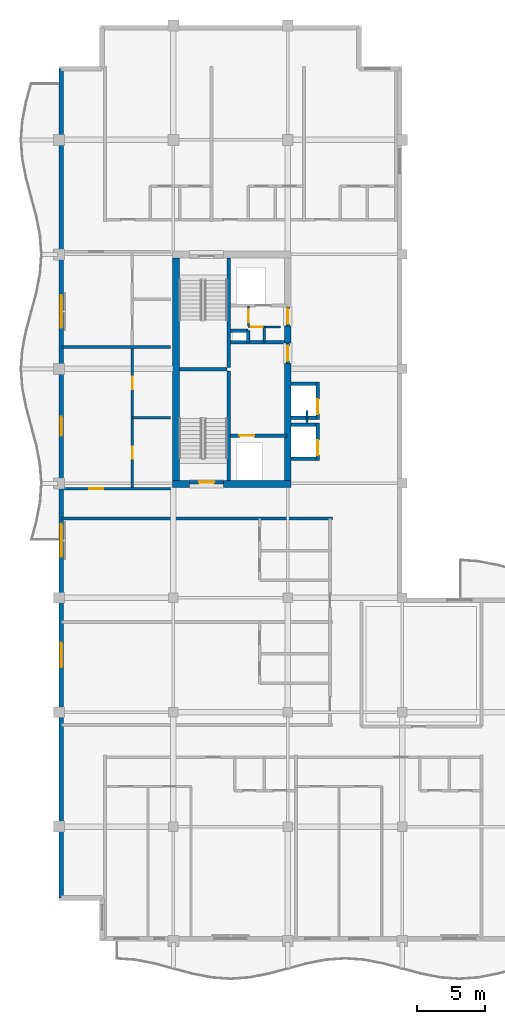
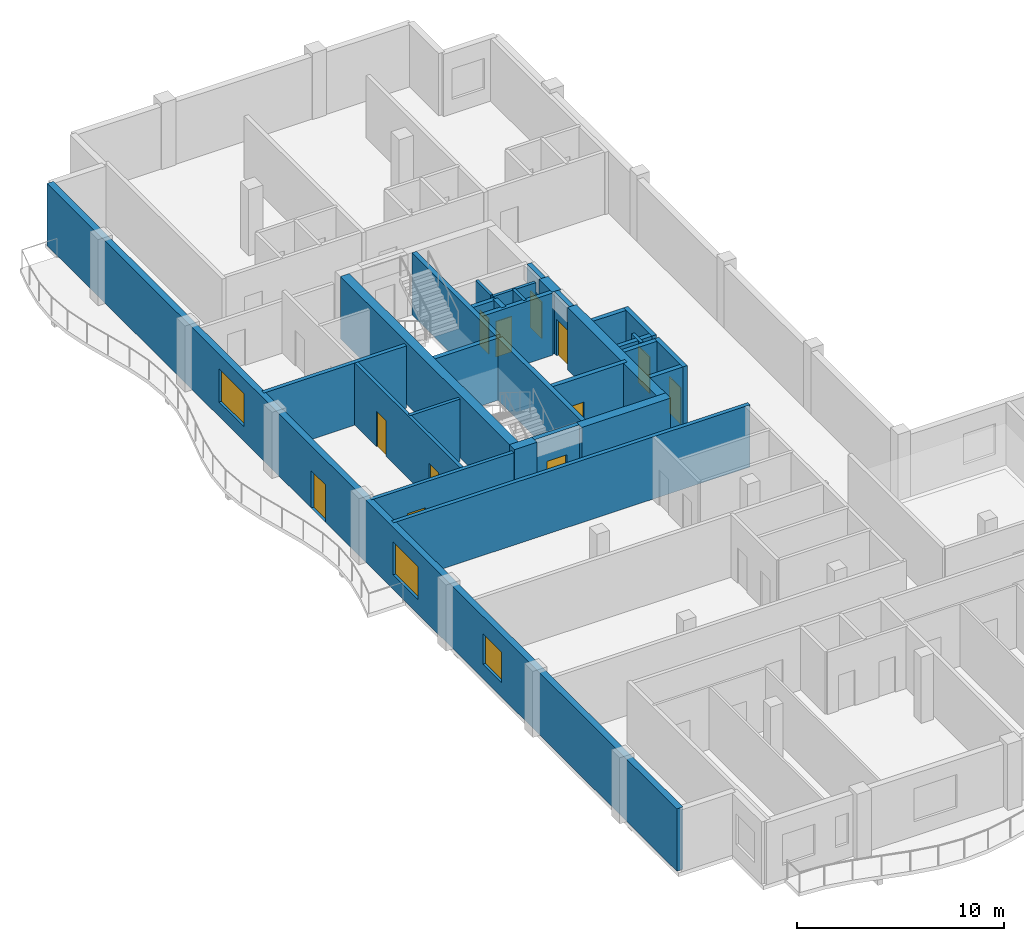
# One storey, part 9 of 15: 31 walls, 12 doors, 3 windows, 15 openings.
"""IFC4 building model written with IfcOpenShell, lengths in metres."""

import ifcopenshell
import ifcopenshell.guid

model = None  # the IFC model being written
_history = None  # IfcOwnerHistory: only IFC2X3 demands one
_inside = {}  # id of a spatial element -> (the spatial element, [elements in it])
_under = {}  # id of a project, library or spatial element -> (it, [spatial elements below it])
_declared = {}  # id of a project -> (the project, [libraries it declares])
_typed = {}  # id of a type object -> (the type object, [elements of that type])
_made_of = {}  # id of a material, layer set ... -> (it, [elements and type objects made of it])


def new_model(schema):
    """Start an empty IFC model of exactly this schema.

    Asked for "IFC4X3", IfcOpenShell would pick the latest addendum, in which some entities
    have other attributes; the version numbers below select the first issue.
    IFC2X3 requires an IfcOwnerHistory on every rooted entity: one is made here for all.
    """
    global model, _history
    if schema == "IFC4X3":
        model = ifcopenshell.file(schema_version=(4, 3, 0, 0))
    else:
        model = ifcopenshell.file(schema=schema)
    _inside.clear()
    _under.clear()
    _declared.clear()
    _typed.clear()
    _made_of.clear()
    _history = None
    if model.schema == "IFC2X3":
        org = make("IfcOrganization", Name="unknown")
        user = make(
            "IfcPersonAndOrganization",
            ThePerson=make("IfcPerson", FamilyName="unknown"),
            TheOrganization=org,
        )
        app = make(
            "IfcApplication",
            ApplicationDeveloper=org,
            Version="unknown",
            ApplicationFullName="unknown",
            ApplicationIdentifier="unknown",
        )
        _history = make(
            "IfcOwnerHistory",
            OwningUser=user,
            OwningApplication=app,
            ChangeAction="ADDED",
            CreationDate=0,
        )
    return model


def make(cls, **values):
    """One entity of the class cls with the attributes given. An attribute that is None is left unset."""
    return model.create_entity(
        cls, **{name: value for name, value in values.items() if value is not None}
    )


def rooted(cls, **values):
    """An entity with a GlobalId (a new one), such as an element, a storey or a relation."""
    return make(cls, GlobalId=ifcopenshell.guid.new(), OwnerHistory=_history, **values)


def si_unit(unit_type, name, prefix=None):
    """IfcSIUnit, for example si_unit("LENGTHUNIT", "METRE", prefix="MILLI")."""
    return make("IfcSIUnit", UnitType=unit_type, Prefix=prefix, Name=name)


def assignment(units):
    """IfcUnitAssignment: the units of a project."""
    return None if units is None else make("IfcUnitAssignment", Units=units)


def point(xyz):
    """IfcCartesianPoint."""
    return None if xyz is None else make("IfcCartesianPoint", Coordinates=xyz)


def direction(xyz):
    """IfcDirection."""
    return None if xyz is None else make("IfcDirection", DirectionRatios=xyz)


def frame(location, z_axis=None, x_axis=None):
    """IfcAxis2Placement3D, a coordinate frame: its origin and axes. An axis left out is left unset."""
    return make(
        "IfcAxis2Placement3D",
        Location=point(location),
        Axis=direction(z_axis),
        RefDirection=direction(x_axis),
    )


def frame_2d(location, x_axis=None):
    """IfcAxis2Placement2D, a coordinate frame in the plane: its origin and x axis."""
    return make(
        "IfcAxis2Placement2D", Location=point(location), RefDirection=direction(x_axis)
    )


def origin():
    """The frame at (0, 0, 0) with its axes left unset."""
    return frame((0.0, 0.0, 0.0))


def place(relative_to, where):
    """IfcLocalPlacement: puts the frame where relative to a parent placement (None: the world)."""
    return make(
        "IfcLocalPlacement", PlacementRelTo=relative_to, RelativePlacement=where
    )


def context(
    kind, dimensions, precision=None, world=None, true_north=None, identifier=None
):
    """IfcGeometricRepresentationContext, for example the 3D "Model" context."""
    return make(
        "IfcGeometricRepresentationContext",
        ContextIdentifier=identifier,
        ContextType=kind,
        CoordinateSpaceDimension=dimensions,
        Precision=precision,
        WorldCoordinateSystem=world,
        TrueNorth=true_north,
    )


def subcontext(parent, identifier, kind, view, scale=None):
    """IfcGeometricRepresentationSubContext, for example "Body" below "Model"."""
    return make(
        "IfcGeometricRepresentationSubContext",
        ContextIdentifier=identifier,
        ContextType=kind,
        ParentContext=parent,
        TargetScale=scale,
        TargetView=view,
    )


def project(units=None, contexts=None):
    """IfcProject with its units and contexts."""
    return rooted(
        "IfcProject",
        Name="project",
        RepresentationContexts=contexts,
        UnitsInContext=assignment(units),
    )


def spatial(cls, under=None, at=None, **own):
    """A site, building, storey or space (cls), placed at a placement, below another one or the project."""
    s = rooted(cls, ObjectPlacement=at, **own)
    if under is not None:
        _under.setdefault(under.id(), (under, []))[1].append(s)
    return s


def profile(cls, at=None, kind="AREA", **sizes):
    """A parametric profile (cls). Its sizes go by their IFC names, for example OverallWidth=200.0."""
    return make(cls, ProfileType=kind, Position=at, **sizes)


def rectangle(**sizes):
    """IfcRectangleProfileDef."""
    return profile("IfcRectangleProfileDef", **sizes)


def extrude(swept, where, along, depth):
    """IfcExtrudedAreaSolid: the profile swept, set in the frame where, extruded along a direction by depth."""
    return make(
        "IfcExtrudedAreaSolid",
        SweptArea=swept,
        Position=where,
        ExtrudedDirection=direction(along),
        Depth=depth,
    )


def shape(context_of_items, identifier, shape_type, items):
    """IfcShapeRepresentation: the items that make up one representation, for example the "Body"."""
    return make(
        "IfcShapeRepresentation",
        ContextOfItems=context_of_items,
        RepresentationIdentifier=identifier,
        RepresentationType=shape_type,
        Items=items,
    )


def material(Name=None, Category=None):
    """IfcMaterial."""
    return make("IfcMaterial", Name=Name, Category=Category)


def layer(
    of_material, thickness, ventilated=None, Name=None, Category=None, Priority=None
):
    """IfcMaterialLayer: one layer of a wall or slab, of a material (None: an air gap)."""
    return make(
        "IfcMaterialLayer",
        Material=of_material,
        LayerThickness=thickness,
        IsVentilated=ventilated,
        Name=Name,
        Category=Category,
        Priority=Priority,
    )


def layer_set(layers, Name=None):
    """IfcMaterialLayerSet."""
    return make("IfcMaterialLayerSet", MaterialLayers=layers, LayerSetName=Name)


def made_of(thing, what):
    """Note that an element or type object is made of a material, layer set ...; save() writes the relation."""
    if what is not None:
        _made_of.setdefault(what.id(), (what, []))[1].append(thing)
    return thing


def type_object(cls, material=None, **own):
    """A type object (cls), such as IfcWallType, which elements share."""
    return made_of(rooted(cls, **own), material)


def element(
    cls,
    number,
    at=None,
    inside=None,
    cuts=None,
    type_object=None,
    material=None,
    context=None,
    identifier="Body",
    shape_type=None,
    held_by="IfcProductDefinitionShape",
    body=None,
    shapes=None,
    **own,
):
    """One element of the class cls, such as IfcWall. Its Tag is "e" and its number.

    at: its placement. inside: the storey or other place that contains it. cuts: it is an
    opening in that element (IfcRelVoidsElement). A single representation is given by context,
    identifier, shape_type and body (its items); several are given by shapes. held_by: the class
    of the entity that holds the representations. save() writes the other relations.
    """
    e = rooted(cls, Tag="e%d" % number, ObjectPlacement=at, **own)
    if body is not None:
        shapes = [shape(context, identifier, shape_type, body)]
    if shapes is not None:
        e.Representation = make(held_by, Representations=shapes)
    if inside is not None:
        _inside.setdefault(inside.id(), (inside, []))[1].append(e)
    if cuts is not None:
        rooted(
            "IfcRelVoidsElement", RelatingBuildingElement=cuts, RelatedOpeningElement=e
        )
    if type_object is not None:
        _typed.setdefault(type_object.id(), (type_object, []))[1].append(e)
    return made_of(e, material)


def fill(opening, filler):
    """IfcRelFillsElement: the door or window that sits in an opening."""
    return rooted(
        "IfcRelFillsElement",
        RelatingOpeningElement=opening,
        RelatedBuildingElement=filler,
    )


def aggregate(whole, parts):
    """IfcRelAggregates: a whole, such as a stair, and the parts it consists of."""
    return rooted("IfcRelAggregates", RelatingObject=whole, RelatedObjects=parts)


def save(model, path):
    """Write the relations noted so far, then the file.

    IfcRelAggregates (storeys below a building ...), IfcRelContainedInSpatialStructure (elements
    in a storey), IfcRelDefinesByType, IfcRelAssociatesMaterial and IfcRelDeclares: one each for
    every whole, place, type object, material and project.
    """
    for whole, parts in _under.values():
        aggregate(whole, parts)
    for where, things in _inside.values():
        rooted(
            "IfcRelContainedInSpatialStructure",
            RelatedElements=things,
            RelatingStructure=where,
        )
    for kind, things in _typed.values():
        rooted("IfcRelDefinesByType", RelatedObjects=things, RelatingType=kind)
    for what, things in _made_of.values():
        rooted("IfcRelAssociatesMaterial", RelatedObjects=things, RelatingMaterial=what)
    for by, libraries in _declared.values():
        rooted("IfcRelDeclares", RelatingContext=by, RelatedDefinitions=libraries)
    model.write(path)


model = new_model("IFC4")

# Units and contexts
model_context = context("Model", 3, precision=1e-05, world=origin(), true_north=direction((0.0, 1.0)))
body_context = subcontext(model_context, "Body", "Model", "MODEL_VIEW")
ifc_project = project(units=[si_unit("LENGTHUNIT", "METRE"), si_unit("AREAUNIT", "SQUARE_METRE"), si_unit("VOLUMEUNIT", "CUBIC_METRE"), si_unit("PLANEANGLEUNIT", "RADIAN"), si_unit("MASSUNIT", "GRAM", prefix="KILO")], contexts=[model_context])

# Site, building, storey
site_placement = place(None, origin())
site = spatial("IfcSite", under=ifc_project, at=site_placement, CompositionType="ELEMENT")
building_placement = place(site_placement, origin())
building = spatial("IfcBuilding", under=site, at=building_placement, Name="Koriwani Terraces Tower", CompositionType="ELEMENT")
storey_placement = place(building_placement, frame((0.0, 0.0, 324.199951171875)))
storey = spatial("IfcBuildingStorey", under=building, at=storey_placement, Name="L80", CompositionType="ELEMENT", Elevation=324.199951171875)

# Walls
ifc_material_1 = material(Name="Concrete C50/60", Category="concrete")
ifc_layer_1 = layer(ifc_material_1, 0.5, Name="Concrete C50/60")
ifc_layer_set_1 = layer_set([ifc_layer_1], Name="Concrete C50/60")
wall_type_1 = type_object("IfcWallType", Name="WALL_CORE_RC_500", PredefinedType="SHEAR", material=ifc_layer_set_1)
wall_1_placement = place(storey_placement, frame((16.75, 41.949951171875, 0.0), z_axis=(0.0, 0.0, 1.0), x_axis=(1.0, 0.0, 0.0)))
element("IfcWall", 1, at=wall_1_placement, inside=storey, type_object=wall_type_1, Name="L80 West Split Core Shear Wall S1", PredefinedType="SHEAR", context=body_context, shape_type="SweptSolid", body=[
    extrude(rectangle(XDim=1.25, YDim=0.5, at=frame_2d((0.625, 0.0))), origin(), (0.0, 0.0, 1.0), 3.670166015625),
])
wall_2_placement = place(storey_placement, frame((20.5, 41.949951171875, 0.0), z_axis=(0.0, 0.0, 1.0), x_axis=(1.0, 0.0, 0.0)))
element("IfcWall", 2, at=wall_2_placement, inside=storey, type_object=wall_type_1, Name="L80 West Split Core Shear Wall S2", PredefinedType="SHEAR", context=body_context, shape_type="SweptSolid", body=[
    extrude(rectangle(XDim=4.949951171875, YDim=0.5, at=frame_2d((2.47509765625, 0.0))), origin(), (0.0, 0.0, 1.0), 3.670166015625),
])
wall_3_placement = place(storey_placement, frame((17.0, 42.199951171875, 0.0), z_axis=(0.0, 0.0, 1.0), x_axis=(0.0, 1.0, 0.0)))
element("IfcWall", 3, at=wall_3_placement, inside=storey, type_object=wall_type_1, Name="L80 West Split Core Shear Wall W1", PredefinedType="SHEAR", context=body_context, shape_type="SweptSolid", body=[
    extrude(rectangle(XDim=16.35009765625, YDim=0.5, at=frame_2d((8.175048828125, 0.0))), origin(), (0.0, 0.0, 1.0), 3.670166015625),
])
wall_4_placement = place(storey_placement, frame((25.199951171875, 42.199951171875, 0.0), z_axis=(0.0, 0.0, 1.0), x_axis=(0.0, 1.0, 0.0)))
element("IfcWall", 4, at=wall_4_placement, inside=storey, type_object=wall_type_1, Name="L80 West Split Core Shear Wall E1", PredefinedType="SHEAR", context=body_context, shape_type="SweptSolid", body=[
    extrude(rectangle(XDim=8.60009765625, YDim=0.5, at=frame_2d((4.300048828125, 0.0))), origin(), (0.0, 0.0, 1.0), 3.670166015625),
])
wall_5_placement = place(storey_placement, frame((25.199951171875, 52.280029296875, 0.0), z_axis=(0.0, 0.0, 1.0), x_axis=(0.0, 1.0, 0.0)))
element("IfcWall", 5, at=wall_5_placement, inside=storey, type_object=wall_type_1, Name="L80 West Split Core Shear Wall E2", PredefinedType="SHEAR", context=body_context, shape_type="SweptSolid", body=[
    extrude(rectangle(XDim=1.27001953125, YDim=0.5, at=frame_2d((0.635009765625, 0.0))), origin(), (0.0, 0.0, 1.0), 3.670166015625),
])

# Wall, opening, door
ifc_material_2 = material(Name="Autoclaved Cellular Concrete Blockwork", Category="masonry")
ifc_layer_2 = layer(ifc_material_2, 0.199951171875, Name="Autoclaved Cellular Concrete Blockwork")
ifc_layer_set_2 = layer_set([ifc_layer_2], Name="Autoclaved Cellular Concrete Blockwork")
wall_type_2 = type_object("IfcWallType", Name="WALL_CORRIDOR_200", PredefinedType="PARTITIONING", material=ifc_layer_set_2)
wall_6_placement = place(storey_placement, frame((8.64990234375, 41.60009765625, 0.0), z_axis=(0.0, 0.0, 1.0), x_axis=(1.0, 0.0, 0.0)))
wall_6 = element("IfcWall", 6, at=wall_6_placement, inside=storey, type_object=wall_type_2, Name="L80 Interior Wall WRZ4-WS-L80", PredefinedType="PARTITIONING", context=body_context, shape_type="SweptSolid", body=[
    extrude(rectangle(XDim=7.9501953125, YDim=0.199951171875, at=frame_2d((3.97509765625, 0.0))), origin(), (0.0, 0.0, 1.0), 3.670166015625),
])
opening_1_placement = place(wall_6_placement, frame((2.0, 0.0, 0.0)))
opening_1 = element("IfcOpeningElement", 7, at=opening_1_placement, cuts=wall_6, Name="Opening D-05", PredefinedType="OPENING", context=body_context, shape_type="SweptSolid", body=[
    extrude(rectangle(XDim=1.0, YDim=2.14990234375, at=frame_2d((0.5, 1.074951171875))), frame((0.0, 0.10986328125, 0.0), z_axis=(0.0, -1.0, 0.0), x_axis=(1.0, 0.0, 0.0)), (0.0, 0.0, 1.0), 0.219970703125),
])
ifc_material_3 = material(Name="Architectural Oak Fire Door", Category="wood")
door_type_1 = type_object("IfcDoorType", Name="DOOR_SUITE_ENTRY_1000X2150", OperationType="NOTDEFINED", PredefinedType="DOOR", material=ifc_material_3)
door_1_placement = place(opening_1_placement, origin())
door_1 = element("IfcDoor", 8, at=door_1_placement, inside=storey, type_object=door_type_1, Name="Apartment 80RW1 Entrance Door", OperationType="SINGLE_SWING_LEFT", OverallHeight=2.14990234375, OverallWidth=1.0, PredefinedType="DOOR", context=body_context, shape_type="SweptSolid", body=[
    extrude(rectangle(XDim=1.0, YDim=2.14990234375, at=frame_2d((0.5, 1.074951171875))), frame((0.0, 0.02490234375, 0.0), z_axis=(0.0, -1.0, 0.0), x_axis=(1.0, 0.0, 0.0)), (0.0, 0.0, 1.0), 0.050048828125),
])
fill(opening_1, door_1)

# Walls
ifc_layer_3 = layer(ifc_material_2, 0.219970703125, Name="Autoclaved Cellular Concrete Blockwork")
ifc_layer_set_3 = layer_set([ifc_layer_3], Name="Autoclaved Cellular Concrete Blockwork")
wall_type_3 = type_object("IfcWallType", Name="WALL_DEMISING_220", PredefinedType="PARTITIONING", material=ifc_layer_set_3)
wall_7_placement = place(storey_placement, frame((8.64990234375, 52.0, 0.0), z_axis=(0.0, 0.0, 1.0), x_axis=(1.0, 0.0, 0.0)))
element("IfcWall", 9, at=wall_7_placement, inside=storey, type_object=wall_type_3, Name="L80 Interior Wall WRZ4-WM-L80", PredefinedType="PARTITIONING", context=body_context, shape_type="SweptSolid", body=[
    extrude(rectangle(XDim=7.9501953125, YDim=0.219970703125, at=frame_2d((3.97509765625, 0.0))), origin(), (0.0, 0.0, 1.0), 3.670166015625),
])
wall_8_placement = place(storey_placement, frame((8.60009765625, 39.39990234375, 0.0), z_axis=(0.0, 0.0, 1.0), x_axis=(1.0, 0.0, 0.0)))
element("IfcWall", 10, at=wall_8_placement, inside=storey, type_object=wall_type_3, Name="L80 Interior Wall WRDEME-L80-NE", PredefinedType="PARTITIONING", context=body_context, shape_type="SweptSolid", body=[
    extrude(rectangle(XDim=19.8798828125, YDim=0.219970703125, at=frame_2d((9.93994140625, 0.0))), origin(), (0.0, 0.0, 1.0), 3.670166015625),
])

# Wall, openings, door, windows
ifc_layer_4 = layer(ifc_material_1, 0.35009765625, Name="Concrete C50/60")
ifc_layer_set_4 = layer_set([ifc_layer_4], Name="Concrete C50/60")
wall_type_4 = type_object("IfcWallType", Name="WALL_EXT_BRUTALIST_350", PredefinedType="STANDARD", material=ifc_layer_set_4)
wall_9_placement = place(storey_placement, frame((8.574951171875, 11.574951171875, 0.0), z_axis=(0.0, 0.0, 1.0), x_axis=(0.0, 1.0, 0.0)))
wall_9 = element("IfcWall", 11, at=wall_9_placement, inside=storey, type_object=wall_type_4, Name="L80 Fair-Faced Brutalist Exterior Wall (W)", PredefinedType="STANDARD", context=body_context, shape_type="SweptSolid", body=[
    extrude(rectangle(XDim=60.85009765625, YDim=0.35009765625, at=frame_2d((30.425048828125, 0.0))), origin(), (0.0, 0.0, 1.0), 3.670166015625),
])
opening_2_placement = place(wall_9_placement, frame((33.925048828125, 0.0, 0.0)))
opening_2 = element("IfcOpeningElement", 12, at=opening_2_placement, cuts=wall_9, Name="Opening D-09", PredefinedType="OPENING", context=body_context, shape_type="SweptSolid", body=[
    extrude(rectangle(XDim=1.39990234375, YDim=2.199951171875, at=frame_2d((0.699951171875, 1.10009765625))), frame((0.0, 0.18505859375, 0.0), z_axis=(0.0, -1.0, 0.0), x_axis=(1.0, 0.0, 0.0)), (0.0, 0.0, 1.0), 0.3701171875),
])
opening_3_placement = place(wall_9_placement, frame((16.925048828125, 0.0, 0.85009765625)))
opening_3 = element("IfcOpeningElement", 13, at=opening_3_placement, cuts=wall_9, Name="Opening W-04", PredefinedType="OPENING", context=body_context, shape_type="SweptSolid", body=[
    extrude(rectangle(XDim=1.800048828125, YDim=1.800048828125, at=frame_2d((0.89990234375, 0.89990234375))), frame((0.0, 0.18505859375, 0.0), z_axis=(0.0, -1.0, 0.0), x_axis=(1.0, 0.0, 0.0)), (0.0, 0.0, 1.0), 0.3701171875),
])
opening_4_placement = place(wall_9_placement, frame((25.02490234375, 0.0, 0.85009765625)))
opening_4 = element("IfcOpeningElement", 14, at=opening_4_placement, cuts=wall_9, Name="Opening W-03", PredefinedType="OPENING", context=body_context, shape_type="SweptSolid", body=[
    extrude(rectangle(XDim=2.39990234375, YDim=1.949951171875, at=frame_2d((1.199951171875, 0.97509765625))), frame((0.0, 0.18505859375, 0.0), z_axis=(0.0, -1.0, 0.0), x_axis=(1.0, 0.0, 0.0)), (0.0, 0.0, 1.0), 0.3701171875),
])
opening_5_placement = place(wall_9_placement, frame((41.824951171875, 0.0, 0.85009765625)))
opening_5 = element("IfcOpeningElement", 15, at=opening_5_placement, cuts=wall_9, Name="Opening W-03", PredefinedType="OPENING", context=body_context, shape_type="SweptSolid", body=[
    extrude(rectangle(XDim=2.39990234375, YDim=1.949951171875, at=frame_2d((1.199951171875, 0.97509765625))), frame((0.0, 0.18505859375, 0.0), z_axis=(0.0, -1.0, 0.0), x_axis=(1.0, 0.0, 0.0)), (0.0, 0.0, 1.0), 0.3701171875),
])
ifc_material_4 = material(Name="Anodised Bronze Aluminium", Category="aluminium")
door_type_2 = type_object("IfcDoorType", Name="DOOR_BALCONY_GLAZED_1400X2200", OperationType="NOTDEFINED", PredefinedType="DOOR", material=ifc_material_4)
door_2_placement = place(opening_2_placement, origin())
door_2 = element("IfcDoor", 16, at=door_2_placement, inside=storey, type_object=door_type_2, Name="L80 West Balcony Glazed Door", OperationType="SINGLE_SWING_LEFT", OverallHeight=2.199951171875, OverallWidth=1.39990234375, PredefinedType="DOOR", context=body_context, shape_type="SweptSolid", body=[
    extrude(rectangle(XDim=1.39990234375, YDim=2.199951171875, at=frame_2d((0.699951171875, 1.10009765625))), frame((0.0, 0.02490234375, 0.0), z_axis=(0.0, -1.0, 0.0), x_axis=(1.0, 0.0, 0.0)), (0.0, 0.0, 1.0), 0.050048828125),
])
fill(opening_2, door_2)
ifc_material_5 = material(Name="Tempered Laminated Low-E Glass", Category="glass")
window_type_1 = type_object("IfcWindowType", Name="WIN_RES_BED_1800X1800", PartitioningType="DOUBLE_PANEL_VERTICAL", PredefinedType="WINDOW", material=ifc_material_5)
window_1_placement = place(opening_3_placement, origin())
window_1 = element("IfcWindow", 17, at=window_1_placement, inside=storey, type_object=window_type_1, Name="L80 Exterior Window (W-6)", OverallHeight=1.800048828125, OverallWidth=1.800048828125, PartitioningType="SINGLE_PANEL", PredefinedType="WINDOW", context=body_context, shape_type="SweptSolid", body=[
    extrude(rectangle(XDim=1.800048828125, YDim=1.800048828125, at=frame_2d((0.89990234375, 0.89990234375))), frame((0.0, 0.030029296875, 0.0), z_axis=(0.0, -1.0, 0.0), x_axis=(1.0, 0.0, 0.0)), (0.0, 0.0, 1.0), 0.06005859375),
])
fill(opening_3, window_1)
window_type_2 = type_object("IfcWindowType", Name="WIN_RES_LIVING_2400X1950", PartitioningType="DOUBLE_PANEL_VERTICAL", PredefinedType="WINDOW", material=ifc_material_5)
window_2_placement = place(opening_4_placement, origin())
window_2 = element("IfcWindow", 18, at=window_2_placement, inside=storey, type_object=window_type_2, Name="L80 Exterior Window (W-9)", OverallHeight=1.949951171875, OverallWidth=2.39990234375, PartitioningType="SINGLE_PANEL", PredefinedType="WINDOW", context=body_context, shape_type="SweptSolid", body=[
    extrude(rectangle(XDim=2.39990234375, YDim=1.949951171875, at=frame_2d((1.199951171875, 0.97509765625))), frame((0.0, 0.030029296875, 0.0), z_axis=(0.0, -1.0, 0.0), x_axis=(1.0, 0.0, 0.0)), (0.0, 0.0, 1.0), 0.06005859375),
])
fill(opening_4, window_2)
window_3_placement = place(opening_5_placement, origin())
window_3 = element("IfcWindow", 19, at=window_3_placement, inside=storey, type_object=window_type_2, Name="L80 Exterior Window (W-15)", OverallHeight=1.949951171875, OverallWidth=2.39990234375, PartitioningType="SINGLE_PANEL", PredefinedType="WINDOW", context=body_context, shape_type="SweptSolid", body=[
    extrude(rectangle(XDim=2.39990234375, YDim=1.949951171875, at=frame_2d((1.199951171875, 0.97509765625))), frame((0.0, 0.030029296875, 0.0), z_axis=(0.0, -1.0, 0.0), x_axis=(1.0, 0.0, 0.0)), (0.0, 0.0, 1.0), 0.06005859375),
])
fill(opening_5, window_3)

# Wall, openings, doors
ifc_material_6 = material(Name="Fire-Rated Acoustic Gypsum Partition", Category="masonry")
ifc_layer_5 = layer(ifc_material_6, 0.179931640625, Name="Fire-Rated Acoustic Gypsum Partition")
ifc_layer_set_5 = layer_set([ifc_layer_5], Name="Fire-Rated Acoustic Gypsum Partition")
wall_type_5 = type_object("IfcWallType", Name="WALL_PLUMBING_180", PredefinedType="PLUMBINGWALL", material=ifc_layer_set_5)
wall_10_placement = place(storey_placement, frame((13.800048828125, 41.699951171875, 0.0), z_axis=(0.0, 0.0, 1.0), x_axis=(0.0, 1.0, 0.0)))
wall_10 = element("IfcWall", 20, at=wall_10_placement, inside=storey, type_object=wall_type_5, Name="L80 Interior Wall WRZ4-RW1-PB-L80", PredefinedType="PLUMBINGWALL", context=body_context, shape_type="SweptSolid", body=[
    extrude(rectangle(XDim=10.199951171875, YDim=0.179931640625, at=frame_2d((5.10009765625, 0.0))), origin(), (0.0, 0.0, 1.0), 3.670166015625),
])
opening_6_placement = place(wall_10_placement, frame((2.10009765625, 0.0, 0.0)))
opening_6 = element("IfcOpeningElement", 21, at=opening_6_placement, cuts=wall_10, Name="Opening D-07", PredefinedType="OPENING", context=body_context, shape_type="SweptSolid", body=[
    extrude(rectangle(XDim=0.89990234375, YDim=2.10009765625, at=frame_2d((0.449951171875, 1.050048828125))), frame((0.0, 0.10009765625, 0.0), z_axis=(0.0, -1.0, 0.0), x_axis=(1.0, 0.0, 0.0)), (0.0, 0.0, 1.0), 0.199951171875),
])
opening_7_placement = place(wall_10_placement, frame((7.18994140625, 0.0, 0.0)))
opening_7 = element("IfcOpeningElement", 22, at=opening_7_placement, cuts=wall_10, Name="Opening D-06", PredefinedType="OPENING", context=body_context, shape_type="SweptSolid", body=[
    extrude(rectangle(XDim=0.919921875, YDim=2.10009765625, at=frame_2d((0.4599609375, 1.050048828125))), frame((0.0, 0.10009765625, 0.0), z_axis=(0.0, -1.0, 0.0), x_axis=(1.0, 0.0, 0.0)), (0.0, 0.0, 1.0), 0.199951171875),
])
door_type_3 = type_object("IfcDoorType", Name="DOOR_BATH_INT_900X2100", OperationType="NOTDEFINED", PredefinedType="DOOR", material=ifc_material_3)
door_3_placement = place(opening_6_placement, origin())
door_3 = element("IfcDoor", 23, at=door_3_placement, inside=storey, type_object=door_type_3, Name="Apartment 80RW1 Bathroom Door", OperationType="SINGLE_SWING_LEFT", OverallHeight=2.10009765625, OverallWidth=0.89990234375, PredefinedType="DOOR", context=body_context, shape_type="SweptSolid", body=[
    extrude(rectangle(XDim=0.89990234375, YDim=2.10009765625, at=frame_2d((0.449951171875, 1.050048828125))), frame((0.0, 0.02490234375, 0.0), z_axis=(0.0, -1.0, 0.0), x_axis=(1.0, 0.0, 0.0)), (0.0, 0.0, 1.0), 0.050048828125),
])
fill(opening_6, door_3)
door_type_4 = type_object("IfcDoorType", Name="DOOR_ROOM_INT_920X2100", OperationType="NOTDEFINED", PredefinedType="DOOR", material=ifc_material_3)
door_4_placement = place(opening_7_placement, origin())
door_4 = element("IfcDoor", 24, at=door_4_placement, inside=storey, type_object=door_type_4, Name="Apartment 80RW1 Kitchen Door", OperationType="SINGLE_SWING_RIGHT", OverallHeight=2.10009765625, OverallWidth=0.919921875, PredefinedType="DOOR", context=body_context, shape_type="SweptSolid", body=[
    extrude(rectangle(XDim=0.919921875, YDim=2.10009765625, at=frame_2d((0.4599609375, 1.050048828125))), frame((0.0, 0.02490234375, 0.0), z_axis=(0.0, -1.0, 0.0), x_axis=(1.0, 0.0, 0.0)), (0.0, 0.0, 1.0), 0.050048828125),
])
fill(opening_7, door_4)

# Walls
wall_11_placement = place(storey_placement, frame((13.800048828125, 46.800048828125, 0.0), z_axis=(0.0, 0.0, 1.0), x_axis=(1.0, 0.0, 0.0)))
element("IfcWall", 25, at=wall_11_placement, inside=storey, type_object=wall_type_5, Name="L80 Interior Wall WRZ4-RW1-P2-L80", PredefinedType="PLUMBINGWALL", context=body_context, shape_type="SweptSolid", body=[
    extrude(rectangle(XDim=2.800048828125, YDim=0.179931640625, at=frame_2d((1.39990234375, 0.0))), origin(), (0.0, 0.0, 1.0), 3.670166015625),
])
ifc_material_7 = material(Name="Concrete C40/50", Category="concrete")
ifc_layer_6 = layer(ifc_material_7, 0.25, Name="Concrete C40/50")
ifc_layer_set_6 = layer_set([ifc_layer_6], Name="Concrete C40/50")
wall_type_6 = type_object("IfcWallType", Name="WALL_SHAFT_RATED_250", PredefinedType="SOLIDWALL", material=ifc_layer_set_6)
for number, where, z_axis, x_axis, name in (
    (26, (20.875, 42.199951171875, 0.0), (0.0, 0.0, 1.0), (0.0, 1.0, 0.0), "L80 West Split Core Web Wall MID1"),
    (27, (20.875, 50.5, 0.0), (0.0, 0.0, 1.0), (0.0, 1.0, 0.0), "L80 West Split Core Web Wall MID2"),
):
    element("IfcWall", number, at=place(storey_placement, frame(where, z_axis=z_axis, x_axis=x_axis)), inside=storey, type_object=wall_type_6, Name=name, PredefinedType="SOLIDWALL", context=body_context, shape_type="SweptSolid", body=[
        extrude(rectangle(XDim=8.050048828125, YDim=0.25, at=frame_2d((4.02490234375, 0.0))), origin(), (0.0, 0.0, 1.0), 3.670166015625),
    ])
wall_12_placement = place(storey_placement, frame((17.25, 50.375, 0.0), z_axis=(0.0, 0.0, 1.0), x_axis=(1.0, 0.0, 0.0)))
element("IfcWall", 28, at=wall_12_placement, inside=storey, type_object=wall_type_6, Name="L80 West Split Core Stair Dividing Wall", PredefinedType="SOLIDWALL", context=body_context, shape_type="SweptSolid", body=[
    extrude(rectangle(XDim=3.5, YDim=0.25, at=frame_2d((1.75, 0.0))), origin(), (0.0, 0.0, 1.0), 3.670166015625),
])

# Wall, opening, door
wall_13_placement = place(storey_placement, frame((18.0, 42.074951171875, 0.0), z_axis=(0.0, 0.0, 1.0), x_axis=(1.0, 0.0, 0.0)))
wall_13 = element("IfcWall", 29, at=wall_13_placement, inside=storey, type_object=wall_type_6, Name="L80 Interior Wall WIN-CW-L80-STS", PredefinedType="SOLIDWALL", context=body_context, shape_type="SweptSolid", body=[
    extrude(rectangle(XDim=2.5, YDim=0.25, at=frame_2d((1.25, 0.0))), origin(), (0.0, 0.0, 1.0), 3.670166015625),
])
opening_8_placement = place(wall_13_placement, frame((0.699951171875, 0.0, 0.0)))
opening_8 = element("IfcOpeningElement", 30, at=opening_8_placement, cuts=wall_13, Name="Opening D-03", PredefinedType="OPENING", context=body_context, shape_type="SweptSolid", body=[
    extrude(rectangle(XDim=1.10009765625, YDim=2.14990234375, at=frame_2d((0.550048828125, 1.074951171875))), frame((0.0, 0.135009765625, 0.0), z_axis=(0.0, -1.0, 0.0), x_axis=(1.0, 0.0, 0.0)), (0.0, 0.0, 1.0), 0.27001953125),
])
ifc_material_8 = material(Name="Steel ASTM A572 Grade 50", Category="steel")
door_type_5 = type_object("IfcDoorType", Name="DOOR_STAIR_FIRE_1100X2150", OperationType="NOTDEFINED", PredefinedType="DOOR", material=ifc_material_8)
door_5_placement = place(opening_8_placement, origin())
door_5 = element("IfcDoor", 31, at=door_5_placement, inside=storey, type_object=door_type_5, Name="L80 Exit Stair ST-W1 Door", OperationType="SINGLE_SWING_RIGHT", OverallHeight=2.14990234375, OverallWidth=1.10009765625, PredefinedType="DOOR", context=body_context, shape_type="SweptSolid", body=[
    extrude(rectangle(XDim=1.10009765625, YDim=2.14990234375, at=frame_2d((0.550048828125, 1.074951171875))), frame((0.0, 0.02490234375, 0.0), z_axis=(0.0, -1.0, 0.0), x_axis=(1.0, 0.0, 0.0)), (0.0, 0.0, 1.0), 0.050048828125),
])
fill(opening_8, door_5)

wall_14_placement = place(storey_placement, frame((21.0, 45.5, 0.0), z_axis=(0.0, 0.0, 1.0), x_axis=(1.0, 0.0, 0.0)))
wall_14 = element("IfcWall", 32, at=wall_14_placement, inside=storey, type_object=wall_type_6, Name="L80 Interior Wall WIN-CW-L80-FE", PredefinedType="SOLIDWALL", context=body_context, shape_type="SweptSolid", body=[
    extrude(rectangle(XDim=4.14990234375, YDim=0.25, at=frame_2d((2.074951171875, 0.0))), origin(), (0.0, 0.0, 1.0), 3.670166015625),
])
opening_9_placement = place(wall_14_placement, frame((0.64990234375, 0.0, 0.0)))
opening_9 = element("IfcOpeningElement", 33, at=opening_9_placement, cuts=wall_14, Name="Opening LD-01", PredefinedType="OPENING", context=body_context, shape_type="SweptSolid", body=[
    extrude(rectangle(XDim=1.10009765625, YDim=2.14990234375, at=frame_2d((0.550048828125, 1.074951171875))), frame((0.0, 0.135009765625, 0.0), z_axis=(0.0, -1.0, 0.0), x_axis=(1.0, 0.0, 0.0)), (0.0, 0.0, 1.0), 0.27001953125),
])
door_type_6 = type_object("IfcDoorType", Name="DOOR_LIFT_LANDING_1100X2200", OperationType="NOTDEFINED", PredefinedType="DOOR", material=ifc_material_8)
door_6_placement = place(opening_9_placement, origin())
door_6 = element("IfcDoor", 34, at=door_6_placement, inside=storey, type_object=door_type_6, Name="L80 Firefighting Lift FE-01 Landing Door", OperationType="SLIDING_TO_LEFT", OverallHeight=2.14990234375, OverallWidth=1.10009765625, PredefinedType="DOOR", context=body_context, shape_type="SweptSolid", body=[
    extrude(rectangle(XDim=1.10009765625, YDim=2.14990234375, at=frame_2d((0.550048828125, 1.074951171875))), frame((0.0, 0.02490234375, 0.0), z_axis=(0.0, -1.0, 0.0), x_axis=(1.0, 0.0, 0.0)), (0.0, 0.0, 1.0), 0.050048828125),
])
fill(opening_9, door_6)

wall_15_placement = place(storey_placement, frame((25.199951171875, 50.800048828125, 0.0), z_axis=(0.0, 0.0, 1.0), x_axis=(0.0, 1.0, 0.0)))
wall_15 = element("IfcWall", 35, at=wall_15_placement, inside=storey, type_object=wall_type_6, Name="L80 Interior Wall WIN-CW-L80-EP", PredefinedType="SOLIDWALL", context=body_context, shape_type="SweptSolid", body=[
    extrude(rectangle(XDim=1.47998046875, YDim=0.25, at=frame_2d((0.739990234375, 0.0))), origin(), (0.0, 0.0, 1.0), 3.670166015625),
])
opening_10_placement = place(wall_15_placement, frame((0.179931640625, 0.0, 0.0)))
opening_10 = element("IfcOpeningElement", 36, at=opening_10_placement, cuts=wall_15, Name="Opening D-03", PredefinedType="OPENING", context=body_context, shape_type="SweptSolid", body=[
    extrude(rectangle(XDim=1.10009765625, YDim=2.14990234375, at=frame_2d((0.550048828125, 1.074951171875))), frame((0.0, 0.135009765625, 0.0), z_axis=(0.0, -1.0, 0.0), x_axis=(1.0, 0.0, 0.0)), (0.0, 0.0, 1.0), 0.27001953125),
])
door_7_placement = place(opening_10_placement, origin())
door_7 = element("IfcDoor", 37, at=door_7_placement, inside=storey, type_object=door_type_5, Name="L80 West Firefighting Lobby Door", OperationType="SINGLE_SWING_RIGHT", OverallHeight=2.14990234375, OverallWidth=1.10009765625, PredefinedType="DOOR", context=body_context, shape_type="SweptSolid", body=[
    extrude(rectangle(XDim=1.10009765625, YDim=2.14990234375, at=frame_2d((0.550048828125, 1.074951171875))), frame((0.0, 0.02490234375, 0.0), z_axis=(0.0, -1.0, 0.0), x_axis=(1.0, 0.0, 0.0)), (0.0, 0.0, 1.0), 0.050048828125),
])
fill(opening_10, door_7)

# Wall
wall_16_placement = place(storey_placement, frame((21.0, 52.340087890625, 0.0), z_axis=(0.0, 0.0, 1.0), x_axis=(1.0, 0.0, 0.0)))
element("IfcWall", 38, at=wall_16_placement, inside=storey, type_object=wall_type_6, Name="L80 Interior Wall WIN-CW-L80-FFN", PredefinedType="SOLIDWALL", context=body_context, shape_type="SweptSolid", body=[
    extrude(rectangle(XDim=3.949951171875, YDim=0.25, at=frame_2d((1.97509765625, 0.0))), origin(), (0.0, 0.0, 1.0), 3.670166015625),
])

# Wall, opening, door
wall_17_placement = place(storey_placement, frame((25.199951171875, 53.550048828125, 0.0), z_axis=(0.0, 0.0, 1.0), x_axis=(0.0, 1.0, 0.0)))
wall_17 = element("IfcWall", 39, at=wall_17_placement, inside=storey, type_object=wall_type_6, Name="L80 Interior Wall WIN-CW-L80-EP2", PredefinedType="SOLIDWALL", context=body_context, shape_type="SweptSolid", body=[
    extrude(rectangle(XDim=1.39990234375, YDim=0.25, at=frame_2d((0.699951171875, 0.0))), origin(), (0.0, 0.0, 1.0), 3.670166015625),
])
opening_11_placement = place(wall_17_placement, frame((0.14990234375, 0.0, 0.0)))
opening_11 = element("IfcOpeningElement", 40, at=opening_11_placement, cuts=wall_17, Name="Opening D-03", PredefinedType="OPENING", context=body_context, shape_type="SweptSolid", body=[
    extrude(rectangle(XDim=1.10009765625, YDim=2.14990234375, at=frame_2d((0.550048828125, 1.074951171875))), frame((0.0, 0.135009765625, 0.0), z_axis=(0.0, -1.0, 0.0), x_axis=(1.0, 0.0, 0.0)), (0.0, 0.0, 1.0), 0.27001953125),
])
door_8_placement = place(opening_11_placement, origin())
door_8 = element("IfcDoor", 41, at=door_8_placement, inside=storey, type_object=door_type_5, Name="L80 West Goods Lift Lobby Door", OperationType="SINGLE_SWING_LEFT", OverallHeight=2.14990234375, OverallWidth=1.10009765625, PredefinedType="DOOR", context=body_context, shape_type="SweptSolid", body=[
    extrude(rectangle(XDim=1.10009765625, YDim=2.14990234375, at=frame_2d((0.550048828125, 1.074951171875))), frame((0.0, 0.02490234375, 0.0), z_axis=(0.0, -1.0, 0.0), x_axis=(1.0, 0.0, 0.0)), (0.0, 0.0, 1.0), 0.050048828125),
])
fill(opening_11, door_8)

# Walls
wall_18_placement = place(storey_placement, frame((21.0, 53.199951171875, 0.0), z_axis=(0.0, 0.0, 1.0), x_axis=(1.0, 0.0, 0.0)))
element("IfcWall", 42, at=wall_18_placement, inside=storey, type_object=wall_type_6, Name="L80 Interior Wall WIN-CW-L80-RS1", PredefinedType="SOLIDWALL", context=body_context, shape_type="SweptSolid", body=[
    extrude(rectangle(XDim=1.300048828125, YDim=0.25, at=frame_2d((0.64990234375, 0.0))), origin(), (0.0, 0.0, 1.0), 3.670166015625),
])
wall_19_placement = place(storey_placement, frame((22.300048828125, 52.360107421875, 0.0), z_axis=(0.0, 0.0, 1.0), x_axis=(0.0, 1.0, 0.0)))
element("IfcWall", 43, at=wall_19_placement, inside=storey, type_object=wall_type_6, Name="L80 Interior Wall WIN-CW-L80-RS2", PredefinedType="SOLIDWALL", context=body_context, shape_type="SweptSolid", body=[
    extrude(rectangle(XDim=0.83984375, YDim=0.25, at=frame_2d((0.419921875, 0.0))), origin(), (0.0, 0.0, 1.0), 3.670166015625),
])

# Wall, opening, door
wall_20_placement = place(storey_placement, frame((27.39990234375, 43.675048828125, 0.0), z_axis=(0.0, 0.0, 1.0), x_axis=(0.0, 1.0, 0.0)))
wall_20 = element("IfcWall", 44, at=wall_20_placement, inside=storey, type_object=wall_type_6, Name="L80 Interior Wall WIN-LF-PE-H1-L80-F", PredefinedType="SOLIDWALL", context=body_context, shape_type="SweptSolid", body=[
    extrude(rectangle(XDim=2.75, YDim=0.25, at=frame_2d((1.375, 0.0))), origin(), (0.0, 0.0, 1.0), 3.670166015625),
])
opening_12_placement = place(wall_20_placement, frame((0.39990234375, 0.0, 0.0)))
opening_12 = element("IfcOpeningElement", 45, at=opening_12_placement, cuts=wall_20, Name="Opening LD-01", PredefinedType="OPENING", context=body_context, shape_type="SweptSolid", body=[
    extrude(rectangle(XDim=1.10009765625, YDim=2.14990234375, at=frame_2d((0.550048828125, 1.074951171875))), frame((0.0, 0.135009765625, 0.0), z_axis=(0.0, -1.0, 0.0), x_axis=(1.0, 0.0, 0.0)), (0.0, 0.0, 1.0), 0.27001953125),
])
door_9_placement = place(opening_12_placement, origin())
door_9 = element("IfcDoor", 46, at=door_9_placement, inside=storey, type_object=door_type_6, Name="L80 Passenger Lift PE-H1 Landing Door", OperationType="SLIDING_TO_LEFT", OverallHeight=2.14990234375, OverallWidth=1.10009765625, PredefinedType="DOOR", context=body_context, shape_type="SweptSolid", body=[
    extrude(rectangle(XDim=1.10009765625, YDim=2.14990234375, at=frame_2d((0.550048828125, 1.074951171875))), frame((0.0, 0.02490234375, 0.0), z_axis=(0.0, -1.0, 0.0), x_axis=(1.0, 0.0, 0.0)), (0.0, 0.0, 1.0), 0.050048828125),
])
fill(opening_12, door_9)

# Walls
for number, where, z_axis, x_axis, name in (
    (47, (25.449951171875, 43.800048828125, 0.0), (0.0, 0.0, 1.0), (1.0, 0.0, 0.0), "L80 Interior Wall WIN-LF-PE-H1-L80-S"),
    (48, (25.449951171875, 46.300048828125, 0.0), (0.0, 0.0, 1.0), (1.0, 0.0, 0.0), "L80 Interior Wall WIN-LF-PE-H1-L80-N"),
):
    element("IfcWall", number, at=place(storey_placement, frame(where, z_axis=z_axis, x_axis=x_axis)), inside=storey, type_object=wall_type_6, Name=name, PredefinedType="SOLIDWALL", context=body_context, shape_type="SweptSolid", body=[
        extrude(rectangle(XDim=1.824951171875, YDim=0.25, at=frame_2d((0.91259765625, 0.0))), origin(), (0.0, 0.0, 1.0), 3.670166015625),
    ])

# Wall, opening, door
wall_21_placement = place(storey_placement, frame((27.39990234375, 46.675048828125, 0.0), z_axis=(0.0, 0.0, 1.0), x_axis=(0.0, 1.0, 0.0)))
wall_21 = element("IfcWall", 49, at=wall_21_placement, inside=storey, type_object=wall_type_6, Name="L80 Interior Wall WIN-LF-PE-H2-L80-F", PredefinedType="SOLIDWALL", context=body_context, shape_type="SweptSolid", body=[
    extrude(rectangle(XDim=2.75, YDim=0.25, at=frame_2d((1.375, 0.0))), origin(), (0.0, 0.0, 1.0), 3.670166015625),
])
opening_13_placement = place(wall_21_placement, frame((0.39990234375, 0.0, 0.0)))
opening_13 = element("IfcOpeningElement", 50, at=opening_13_placement, cuts=wall_21, Name="Opening LD-01", PredefinedType="OPENING", context=body_context, shape_type="SweptSolid", body=[
    extrude(rectangle(XDim=1.10009765625, YDim=2.14990234375, at=frame_2d((0.550048828125, 1.074951171875))), frame((0.0, 0.135009765625, 0.0), z_axis=(0.0, -1.0, 0.0), x_axis=(1.0, 0.0, 0.0)), (0.0, 0.0, 1.0), 0.27001953125),
])
door_10_placement = place(opening_13_placement, origin())
door_10 = element("IfcDoor", 51, at=door_10_placement, inside=storey, type_object=door_type_6, Name="L80 Passenger Lift PE-H2 Landing Door", OperationType="SLIDING_TO_LEFT", OverallHeight=2.14990234375, OverallWidth=1.10009765625, PredefinedType="DOOR", context=body_context, shape_type="SweptSolid", body=[
    extrude(rectangle(XDim=1.10009765625, YDim=2.14990234375, at=frame_2d((0.550048828125, 1.074951171875))), frame((0.0, 0.02490234375, 0.0), z_axis=(0.0, -1.0, 0.0), x_axis=(1.0, 0.0, 0.0)), (0.0, 0.0, 1.0), 0.050048828125),
])
fill(opening_13, door_10)

# Walls
for number, where, z_axis, x_axis, name in (
    (52, (25.449951171875, 46.800048828125, 0.0), (0.0, 0.0, 1.0), (1.0, 0.0, 0.0), "L80 Interior Wall WIN-LF-PE-H2-L80-S"),
    (53, (25.449951171875, 49.300048828125, 0.0), (0.0, 0.0, 1.0), (1.0, 0.0, 0.0), "L80 Interior Wall WIN-LF-PE-H2-L80-N"),
):
    element("IfcWall", number, at=place(storey_placement, frame(where, z_axis=z_axis, x_axis=x_axis)), inside=storey, type_object=wall_type_6, Name=name, PredefinedType="SOLIDWALL", context=body_context, shape_type="SweptSolid", body=[
        extrude(rectangle(XDim=1.824951171875, YDim=0.25, at=frame_2d((0.91259765625, 0.0))), origin(), (0.0, 0.0, 1.0), 3.670166015625),
    ])

# Wall, opening, door
ifc_layer_7 = layer(ifc_material_6, 0.159912109375, Name="Fire-Rated Acoustic Gypsum Partition")
ifc_layer_set_7 = layer_set([ifc_layer_7], Name="Fire-Rated Acoustic Gypsum Partition")
wall_type_7 = type_object("IfcWallType", Name="WALL_SUITE_160", PredefinedType="PARTITIONING", material=ifc_layer_set_7)
wall_22_placement = place(storey_placement, frame((22.320068359375, 53.56005859375, 0.0), z_axis=(0.0, 0.0, 1.0), x_axis=(0.0, 1.0, 0.0)))
wall_22 = element("IfcWall", 54, at=wall_22_placement, inside=storey, type_object=wall_type_7, Name="L80 Interior Wall WIN-CW-L80-SV2A", PredefinedType="PARTITIONING", context=body_context, shape_type="SweptSolid", body=[
    extrude(rectangle(XDim=1.43994140625, YDim=0.159912109375, at=frame_2d((0.719970703125, 0.0))), origin(), (0.0, 0.0, 1.0), 3.670166015625),
])
opening_14_placement = place(wall_22_placement, frame((0.260009765625, 0.0, 0.0)))
opening_14 = element("IfcOpeningElement", 55, at=opening_14_placement, cuts=wall_22, Name="Opening D-07", PredefinedType="OPENING", context=body_context, shape_type="SweptSolid", body=[
    extrude(rectangle(XDim=0.89990234375, YDim=2.10009765625, at=frame_2d((0.449951171875, 1.050048828125))), frame((0.0, 0.08984375, 0.0), z_axis=(0.0, -1.0, 0.0), x_axis=(1.0, 0.0, 0.0)), (0.0, 0.0, 1.0), 0.179931640625),
])
door_11_placement = place(opening_14_placement, origin())
door_11 = element("IfcDoor", 56, at=door_11_placement, inside=storey, type_object=door_type_3, Name="L80 West Meter Room Door", OperationType="SINGLE_SWING_RIGHT", OverallHeight=2.10009765625, OverallWidth=0.89990234375, PredefinedType="DOOR", context=body_context, shape_type="SweptSolid", body=[
    extrude(rectangle(XDim=0.89990234375, YDim=2.10009765625, at=frame_2d((0.449951171875, 1.050048828125))), frame((0.0, 0.02490234375, 0.0), z_axis=(0.0, -1.0, 0.0), x_axis=(1.0, 0.0, 0.0)), (0.0, 0.0, 1.0), 0.050048828125),
])
fill(opening_14, door_11)

wall_23_placement = place(storey_placement, frame((22.320068359375, 53.4599609375, 0.0), z_axis=(0.0, 0.0, 1.0), x_axis=(1.0, 0.0, 0.0)))
wall_23 = element("IfcWall", 57, at=wall_23_placement, inside=storey, type_object=wall_type_7, Name="L80 Interior Wall WIN-CW-L80-SV2H", PredefinedType="PARTITIONING", context=body_context, shape_type="SweptSolid", body=[
    extrude(rectangle(XDim=2.35986328125, YDim=0.159912109375, at=frame_2d((1.179931640625, 0.0))), origin(), (0.0, 0.0, 1.0), 3.670166015625),
])
opening_15_placement = place(wall_23_placement, frame((0.159912109375, 0.0, 0.0)))
opening_15 = element("IfcOpeningElement", 58, at=opening_15_placement, cuts=wall_23, Name="Opening D-07", PredefinedType="OPENING", context=body_context, shape_type="SweptSolid", body=[
    extrude(rectangle(XDim=0.89990234375, YDim=2.10009765625, at=frame_2d((0.449951171875, 1.050048828125))), frame((0.0, 0.08984375, 0.0), z_axis=(0.0, -1.0, 0.0), x_axis=(1.0, 0.0, 0.0)), (0.0, 0.0, 1.0), 0.179931640625),
])
door_12_placement = place(opening_15_placement, origin())
door_12 = element("IfcDoor", 59, at=door_12_placement, inside=storey, type_object=door_type_3, Name="L80 West Valve Room Door", OperationType="SINGLE_SWING_LEFT", OverallHeight=2.10009765625, OverallWidth=0.89990234375, PredefinedType="DOOR", context=body_context, shape_type="SweptSolid", body=[
    extrude(rectangle(XDim=0.89990234375, YDim=2.10009765625, at=frame_2d((0.449951171875, 1.050048828125))), frame((0.0, 0.02490234375, 0.0), z_axis=(0.0, -1.0, 0.0), x_axis=(1.0, 0.0, 0.0)), (0.0, 0.0, 1.0), 0.050048828125),
])
fill(opening_15, door_12)

# Walls
wall_24_placement = place(storey_placement, frame((23.47998046875, 52.360107421875, 0.0), z_axis=(0.0, 0.0, 1.0), x_axis=(0.0, 1.0, 0.0)))
element("IfcWall", 60, at=wall_24_placement, inside=storey, type_object=wall_type_7, Name="L80 Interior Wall WIN-CW-L80-SV2V", PredefinedType="PARTITIONING", context=body_context, shape_type="SweptSolid", body=[
    extrude(rectangle(XDim=1.099853515625, YDim=0.159912109375, at=frame_2d((0.5498046875, 0.0))), origin(), (0.0, 0.0, 1.0), 3.670166015625),
])
wall_25_placement = place(storey_placement, frame((26.60009765625, 46.4599609375, 0.0), z_axis=(0.0, 0.0, 1.0), x_axis=(0.0, 1.0, 0.0)))
element("IfcWall", 61, at=wall_25_placement, inside=storey, type_object=wall_type_7, Name="L80 Interior Wall WIN-LF-PEH12-MID-L80", PredefinedType="PARTITIONING", context=body_context, shape_type="SweptSolid", body=[
    extrude(rectangle(XDim=0.880126953125, YDim=0.159912109375, at=frame_2d((0.43994140625, 0.0))), origin(), (0.0, 0.0, 1.0), 3.670166015625),
])

save(model, "model.ifc")
